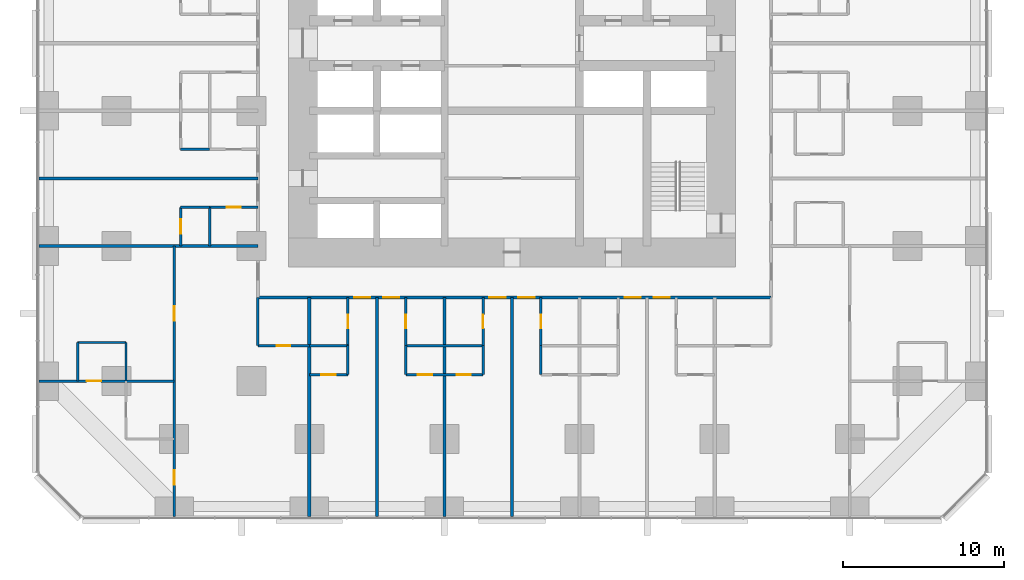
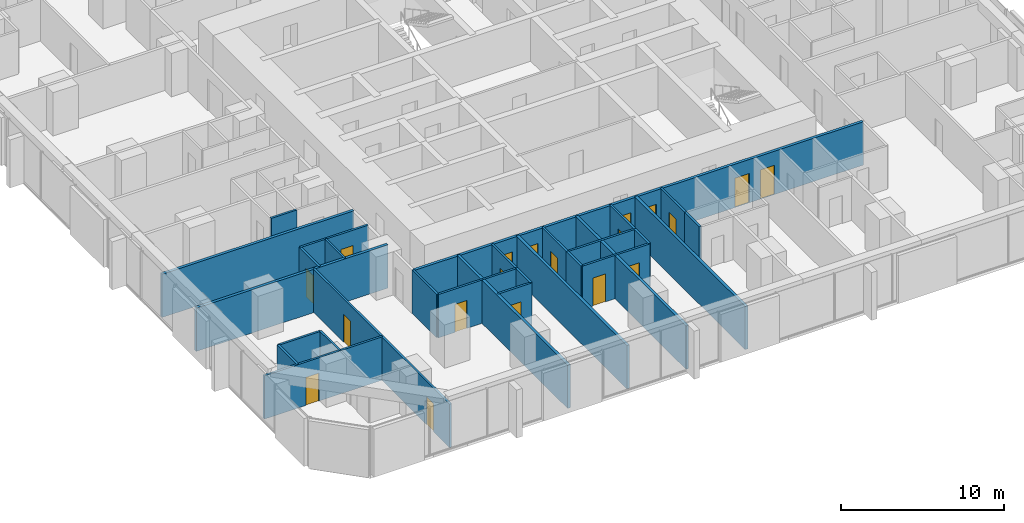
# One storey, part 11 of 18: 31 walls, 19 doors, 19 openings.
"""IFC4 building model written with IfcOpenShell, lengths in metres."""

from ifc_helpers import new_model, si_unit, direction, frame, frame_2d, origin, place, context, subcontext, project, spatial, rectangle, extrude, material, layer, layer_set, type_object, element, fill, save


model = new_model("IFC4")

# Units and contexts
model_context = context("Model", 3, precision=1e-05, world=origin(), true_north=direction((0.0, 1.0)))
body_context = subcontext(model_context, "Body", "Model", "MODEL_VIEW")
ifc_project = project(units=[si_unit("LENGTHUNIT", "METRE"), si_unit("AREAUNIT", "SQUARE_METRE"), si_unit("VOLUMEUNIT", "CUBIC_METRE"), si_unit("PLANEANGLEUNIT", "RADIAN"), si_unit("MASSUNIT", "GRAM", prefix="KILO")], contexts=[model_context])

# Site, building, storey
site_placement = place(None, origin())
site = spatial("IfcSite", under=ifc_project, at=site_placement, CompositionType="ELEMENT")
building_placement = place(site_placement, origin())
building = spatial("IfcBuilding", under=site, at=building_placement, Name="Dunama Terrace Hotel", CompositionType="ELEMENT")
storey_placement = place(building_placement, frame((0.0, 0.0, 30.60009765625)))
storey = spatial("IfcBuildingStorey", under=building, at=storey_placement, Name="L06", CompositionType="ELEMENT", Elevation=30.60009765625)

# Wall
ifc_material_1 = material(Name="Gypsum board partition", Category="masonry")
ifc_layer_1 = layer(ifc_material_1, 0.14990234375)
ifc_layer_set_1 = layer_set([ifc_layer_1], Name="Bathroom partition 150")
wall_type_1 = type_object("IfcWallType", Name="Bathroom partition 150", PredefinedType="PARTITIONING", material=ifc_layer_set_1)
wall_1_placement = place(storey_placement, frame((13.60009765625, 10.60009765625, 0.0), z_axis=(0.0, 0.0, 1.0), x_axis=(0.0, 1.0, 0.0)))
element("IfcWall", 1, at=wall_1_placement, inside=storey, type_object=wall_type_1, Name="Bathroom partition 150 L06", PredefinedType="PARTITIONING", context=body_context, shape_type="SweptSolid", body=[
    extrude(rectangle(XDim=3.0, YDim=0.14990234375, at=frame_2d((1.5, 0.0))), origin(), (0.0, 0.0, 1.0), 3.25),
])

# Wall, opening, door
wall_2_placement = place(storey_placement, frame((19.199951171875, 10.60009765625, 0.0), z_axis=(0.0, 0.0, 1.0), x_axis=(0.0, 1.0, 0.0)))
wall_2 = element("IfcWall", 2, at=wall_2_placement, inside=storey, type_object=wall_type_1, Name="Bathroom partition 150 L06", PredefinedType="PARTITIONING", context=body_context, shape_type="SweptSolid", body=[
    extrude(rectangle(XDim=3.0, YDim=0.14990234375, at=frame_2d((1.5, 0.0))), origin(), (0.0, 0.0, 1.0), 3.25),
])
opening_1_placement = place(wall_2_placement, frame((1.074951171875, 0.0, 0.0)))
opening_1 = element("IfcOpeningElement", 3, at=opening_1_placement, cuts=wall_2, Name="Opening L06-010", PredefinedType="OPENING", context=body_context, shape_type="SweptSolid", body=[
    extrude(rectangle(XDim=0.85009765625, YDim=2.10009765625, at=frame_2d((0.425048828125, 1.050048828125))), frame((0.0, 0.0849609375, 0.0), z_axis=(0.0, -1.0, 0.0), x_axis=(1.0, 0.0, 0.0)), (0.0, 0.0, 1.0), 0.169921875),
])
ifc_material_2 = material(Name="Timber door with steel frame", Category="steel")
door_type_1 = type_object("IfcDoorType", Name="Bathroom door 850", OperationType="SINGLE_SWING_LEFT", PredefinedType="DOOR", material=ifc_material_2)
door_1_placement = place(opening_1_placement, origin())
door_1 = element("IfcDoor", 4, at=door_1_placement, inside=storey, type_object=door_type_1, Name="Door to en-suite bathroom L06-010, type D2", OperationType="SINGLE_SWING_RIGHT", OverallHeight=2.10009765625, OverallWidth=0.85009765625, PredefinedType="DOOR", context=body_context, shape_type="SweptSolid", body=[
    extrude(rectangle(XDim=0.85009765625, YDim=2.10009765625, at=frame_2d((0.425048828125, 1.050048828125))), frame((0.0, 0.02490234375, 0.0), z_axis=(0.0, -1.0, 0.0), x_axis=(1.0, 0.0, 0.0)), (0.0, 0.0, 1.0), 0.050048828125),
])
fill(opening_1, door_1)

wall_3_placement = place(storey_placement, frame((22.800048828125, 10.60009765625, 0.0), z_axis=(0.0, 0.0, 1.0), x_axis=(0.0, 1.0, 0.0)))
wall_3 = element("IfcWall", 5, at=wall_3_placement, inside=storey, type_object=wall_type_1, Name="Bathroom partition 150 L06", PredefinedType="PARTITIONING", context=body_context, shape_type="SweptSolid", body=[
    extrude(rectangle(XDim=3.0, YDim=0.14990234375, at=frame_2d((1.5, 0.0))), origin(), (0.0, 0.0, 1.0), 3.25),
])
opening_2_placement = place(wall_3_placement, frame((1.074951171875, 0.0, 0.0)))
opening_2 = element("IfcOpeningElement", 6, at=opening_2_placement, cuts=wall_3, Name="Opening L06-013", PredefinedType="OPENING", context=body_context, shape_type="SweptSolid", body=[
    extrude(rectangle(XDim=0.85009765625, YDim=2.10009765625, at=frame_2d((0.425048828125, 1.050048828125))), frame((0.0, 0.0849609375, 0.0), z_axis=(0.0, -1.0, 0.0), x_axis=(1.0, 0.0, 0.0)), (0.0, 0.0, 1.0), 0.169921875),
])
door_2_placement = place(opening_2_placement, frame((0.85009765625, 0.0, 0.0), z_axis=(0.0, 0.0, 1.0), x_axis=(-1.0, 0.0, 0.0)))
door_2 = element("IfcDoor", 7, at=door_2_placement, inside=storey, type_object=door_type_1, Name="Door to en-suite bathroom L06-013, type D2", OperationType="SINGLE_SWING_LEFT", OverallHeight=2.10009765625, OverallWidth=0.85009765625, PredefinedType="DOOR", context=body_context, shape_type="SweptSolid", body=[
    extrude(rectangle(XDim=0.85009765625, YDim=2.10009765625, at=frame_2d((0.425048828125, 1.050048828125))), frame((0.0, 0.025146484375, 0.0), z_axis=(0.0, -1.0, 0.0), x_axis=(1.0, 0.0, 0.0)), (0.0, 0.0, 1.0), 0.050048828125),
])
fill(opening_2, door_2)

wall_4_placement = place(storey_placement, frame((27.60009765625, 10.60009765625, 0.0), z_axis=(0.0, 0.0, 1.0), x_axis=(0.0, 1.0, 0.0)))
wall_4 = element("IfcWall", 8, at=wall_4_placement, inside=storey, type_object=wall_type_1, Name="Bathroom partition 150 L06", PredefinedType="PARTITIONING", context=body_context, shape_type="SweptSolid", body=[
    extrude(rectangle(XDim=3.0, YDim=0.14990234375, at=frame_2d((1.5, 0.0))), origin(), (0.0, 0.0, 1.0), 3.25),
])
opening_3_placement = place(wall_4_placement, frame((1.074951171875, 0.0, 0.0)))
opening_3 = element("IfcOpeningElement", 9, at=opening_3_placement, cuts=wall_4, Name="Opening L06-016", PredefinedType="OPENING", context=body_context, shape_type="SweptSolid", body=[
    extrude(rectangle(XDim=0.85009765625, YDim=2.10009765625, at=frame_2d((0.425048828125, 1.050048828125))), frame((0.0, 0.0849609375, 0.0), z_axis=(0.0, -1.0, 0.0), x_axis=(1.0, 0.0, 0.0)), (0.0, 0.0, 1.0), 0.169921875),
])
door_3_placement = place(opening_3_placement, origin())
door_3 = element("IfcDoor", 10, at=door_3_placement, inside=storey, type_object=door_type_1, Name="Door to en-suite bathroom L06-016, type D2", OperationType="SINGLE_SWING_RIGHT", OverallHeight=2.10009765625, OverallWidth=0.85009765625, PredefinedType="DOOR", context=body_context, shape_type="SweptSolid", body=[
    extrude(rectangle(XDim=0.85009765625, YDim=2.10009765625, at=frame_2d((0.425048828125, 1.050048828125))), frame((0.0, 0.02490234375, 0.0), z_axis=(0.0, -1.0, 0.0), x_axis=(1.0, 0.0, 0.0)), (0.0, 0.0, 1.0), 0.050048828125),
])
fill(opening_3, door_3)

wall_5_placement = place(storey_placement, frame((31.199951171875, 10.60009765625, 0.0), z_axis=(0.0, 0.0, 1.0), x_axis=(0.0, 1.0, 0.0)))
wall_5 = element("IfcWall", 11, at=wall_5_placement, inside=storey, type_object=wall_type_1, Name="Bathroom partition 150 L06", PredefinedType="PARTITIONING", context=body_context, shape_type="SweptSolid", body=[
    extrude(rectangle(XDim=3.0, YDim=0.14990234375, at=frame_2d((1.5, 0.0))), origin(), (0.0, 0.0, 1.0), 3.25),
])
opening_4_placement = place(wall_5_placement, frame((1.074951171875, 0.0, 0.0)))
opening_4 = element("IfcOpeningElement", 12, at=opening_4_placement, cuts=wall_5, Name="Opening L06-019", PredefinedType="OPENING", context=body_context, shape_type="SweptSolid", body=[
    extrude(rectangle(XDim=0.85009765625, YDim=2.10009765625, at=frame_2d((0.425048828125, 1.050048828125))), frame((0.0, 0.0849609375, 0.0), z_axis=(0.0, -1.0, 0.0), x_axis=(1.0, 0.0, 0.0)), (0.0, 0.0, 1.0), 0.169921875),
])
door_4_placement = place(opening_4_placement, frame((0.85009765625, 0.0, 0.0), z_axis=(0.0, 0.0, 1.0), x_axis=(-1.0, 0.0, 0.0)))
door_4 = element("IfcDoor", 13, at=door_4_placement, inside=storey, type_object=door_type_1, Name="Door to en-suite bathroom L06-019, type D2", OperationType="SINGLE_SWING_LEFT", OverallHeight=2.10009765625, OverallWidth=0.85009765625, PredefinedType="DOOR", context=body_context, shape_type="SweptSolid", body=[
    extrude(rectangle(XDim=0.85009765625, YDim=2.10009765625, at=frame_2d((0.425048828125, 1.050048828125))), frame((0.0, 0.025146484375, 0.0), z_axis=(0.0, -1.0, 0.0), x_axis=(1.0, 0.0, 0.0)), (0.0, 0.0, 1.0), 0.050048828125),
])
fill(opening_4, door_4)

wall_6_placement = place(storey_placement, frame((13.60009765625, 10.60009765625, 0.0), z_axis=(0.0, 0.0, 1.0), x_axis=(1.0, 0.0, 0.0)))
wall_6 = element("IfcWall", 14, at=wall_6_placement, inside=storey, type_object=wall_type_1, Name="Bathroom partition 150 L06", PredefinedType="PARTITIONING", context=body_context, shape_type="SweptSolid", body=[
    extrude(rectangle(XDim=3.199951171875, YDim=0.14990234375, at=frame_2d((1.60009765625, 0.0))), origin(), (0.0, 0.0, 1.0), 3.25),
])
opening_5_placement = place(wall_6_placement, frame((1.175048828125, 0.0, 0.0)))
opening_5 = element("IfcOpeningElement", 15, at=opening_5_placement, cuts=wall_6, Name="Opening L06-075", PredefinedType="OPENING", context=body_context, shape_type="SweptSolid", body=[
    extrude(rectangle(XDim=0.85009765625, YDim=2.10009765625, at=frame_2d((0.425048828125, 1.050048828125))), frame((0.0, 0.0849609375, 0.0), z_axis=(0.0, -1.0, 0.0), x_axis=(1.0, 0.0, 0.0)), (0.0, 0.0, 1.0), 0.169921875),
])
door_5_placement = place(opening_5_placement, origin())
door_5 = element("IfcDoor", 16, at=door_5_placement, inside=storey, type_object=door_type_1, Name="Door to powder room L06-075, type D2", OperationType="SINGLE_SWING_RIGHT", OverallHeight=2.10009765625, OverallWidth=0.85009765625, PredefinedType="DOOR", context=body_context, shape_type="SweptSolid", body=[
    extrude(rectangle(XDim=0.85009765625, YDim=2.10009765625, at=frame_2d((0.425048828125, 1.050048828125))), frame((0.0, 0.02490234375, 0.0), z_axis=(0.0, -1.0, 0.0), x_axis=(1.0, 0.0, 0.0)), (0.0, 0.0, 1.0), 0.050048828125),
])
fill(opening_5, door_5)

wall_7_placement = place(storey_placement, frame((10.60009765625, 19.199951171875, 0.0), z_axis=(0.0, 0.0, 1.0), x_axis=(1.0, 0.0, 0.0)))
wall_7 = element("IfcWall", 17, at=wall_7_placement, inside=storey, type_object=wall_type_1, Name="Bathroom partition 150 L06", PredefinedType="PARTITIONING", context=body_context, shape_type="SweptSolid", body=[
    extrude(rectangle(XDim=3.0, YDim=0.14990234375, at=frame_2d((1.5, 0.0))), origin(), (0.0, 0.0, 1.0), 3.25),
])
opening_6_placement = place(wall_7_placement, frame((1.074951171875, 0.0, 0.0)))
opening_6 = element("IfcOpeningElement", 18, at=opening_6_placement, cuts=wall_7, Name="Opening L06-062", PredefinedType="OPENING", context=body_context, shape_type="SweptSolid", body=[
    extrude(rectangle(XDim=0.85009765625, YDim=2.10009765625, at=frame_2d((0.425048828125, 1.050048828125))), frame((0.0, 0.0849609375, 0.0), z_axis=(0.0, -1.0, 0.0), x_axis=(1.0, 0.0, 0.0)), (0.0, 0.0, 1.0), 0.169921875),
])
door_6_placement = place(opening_6_placement, frame((0.85009765625, 0.0, 0.0), z_axis=(0.0, 0.0, 1.0), x_axis=(-1.0, 0.0, 0.0)))
door_6 = element("IfcDoor", 19, at=door_6_placement, inside=storey, type_object=door_type_1, Name="Door to en-suite bathroom L06-062, type D2", OperationType="SINGLE_SWING_LEFT", OverallHeight=2.10009765625, OverallWidth=0.85009765625, PredefinedType="DOOR", context=body_context, shape_type="SweptSolid", body=[
    extrude(rectangle(XDim=0.85009765625, YDim=2.10009765625, at=frame_2d((0.425048828125, 1.050048828125))), frame((0.0, 0.025146484375, 0.0), z_axis=(0.0, -1.0, 0.0), x_axis=(1.0, 0.0, 0.0)), (0.0, 0.0, 1.0), 0.050048828125),
])
fill(opening_6, door_6)

# Wall, openings, doors
ifc_material_3 = material(Name="Concrete blockwork", Category="masonry")
ifc_layer_2 = layer(ifc_material_3, 0.199951171875)
ifc_layer_set_2 = layer_set([ifc_layer_2], Name="Corridor partition 200")
wall_type_2 = type_object("IfcWallType", Name="Corridor partition 200", PredefinedType="PARTITIONING", material=ifc_layer_set_2)
wall_8_placement = place(storey_placement, frame((45.5, 13.60009765625, 0.0), z_axis=(0.0, 0.0, 1.0), x_axis=(-1.0, 0.0, 0.0)))
wall_8 = element("IfcWall", 20, at=wall_8_placement, inside=storey, type_object=wall_type_2, Name="Corridor partition 200 L06", PredefinedType="PARTITIONING", context=body_context, shape_type="SweptSolid", body=[
    extrude(rectangle(XDim=31.89990234375, YDim=0.199951171875, at=frame_2d((15.949951171875, 0.0))), origin(), (0.0, 0.0, 1.0), 3.25),
])
opening_7_placement = place(wall_8_placement, frame((24.89990234375, 0.0, 0.0)))
opening_7 = element("IfcOpeningElement", 21, at=opening_7_placement, cuts=wall_8, Name="Opening L06-009", PredefinedType="OPENING", context=body_context, shape_type="SweptSolid", body=[
    extrude(rectangle(XDim=1.0, YDim=2.199951171875, at=frame_2d((0.5, 1.10009765625))), frame((0.0, 0.10986328125, 0.0), z_axis=(0.0, -1.0, 0.0), x_axis=(1.0, 0.0, 0.0)), (0.0, 0.0, 1.0), 0.219970703125),
])
opening_8_placement = place(wall_8_placement, frame((23.10009765625, 0.0, 0.0)))
opening_8 = element("IfcOpeningElement", 22, at=opening_8_placement, cuts=wall_8, Name="Opening L06-012", PredefinedType="OPENING", context=body_context, shape_type="SweptSolid", body=[
    extrude(rectangle(XDim=1.0, YDim=2.199951171875, at=frame_2d((0.5, 1.10009765625))), frame((0.0, 0.10986328125, 0.0), z_axis=(0.0, -1.0, 0.0), x_axis=(1.0, 0.0, 0.0)), (0.0, 0.0, 1.0), 0.219970703125),
])
opening_9_placement = place(wall_8_placement, frame((16.5, 0.0, 0.0)))
opening_9 = element("IfcOpeningElement", 23, at=opening_9_placement, cuts=wall_8, Name="Opening L06-015", PredefinedType="OPENING", context=body_context, shape_type="SweptSolid", body=[
    extrude(rectangle(XDim=1.0, YDim=2.199951171875, at=frame_2d((0.5, 1.10009765625))), frame((0.0, 0.10986328125, 0.0), z_axis=(0.0, -1.0, 0.0), x_axis=(1.0, 0.0, 0.0)), (0.0, 0.0, 1.0), 0.219970703125),
])
opening_10_placement = place(wall_8_placement, frame((14.699951171875, 0.0, 0.0)))
opening_10 = element("IfcOpeningElement", 24, at=opening_10_placement, cuts=wall_8, Name="Opening L06-018", PredefinedType="OPENING", context=body_context, shape_type="SweptSolid", body=[
    extrude(rectangle(XDim=1.0, YDim=2.199951171875, at=frame_2d((0.5, 1.10009765625))), frame((0.0, 0.10986328125, 0.0), z_axis=(0.0, -1.0, 0.0), x_axis=(1.0, 0.0, 0.0)), (0.0, 0.0, 1.0), 0.219970703125),
])
opening_11_placement = place(wall_8_placement, frame((8.10009765625, 0.0, 0.0)))
opening_11 = element("IfcOpeningElement", 25, at=opening_11_placement, cuts=wall_8, Name="Opening L06-021", PredefinedType="OPENING", context=body_context, shape_type="SweptSolid", body=[
    extrude(rectangle(XDim=1.0, YDim=2.199951171875, at=frame_2d((0.5, 1.10009765625))), frame((0.0, 0.10986328125, 0.0), z_axis=(0.0, -1.0, 0.0), x_axis=(1.0, 0.0, 0.0)), (0.0, 0.0, 1.0), 0.219970703125),
])
opening_12_placement = place(wall_8_placement, frame((6.300048828125, 0.0, 0.0)))
opening_12 = element("IfcOpeningElement", 26, at=opening_12_placement, cuts=wall_8, Name="Opening L06-024", PredefinedType="OPENING", context=body_context, shape_type="SweptSolid", body=[
    extrude(rectangle(XDim=1.0, YDim=2.199951171875, at=frame_2d((0.5, 1.10009765625))), frame((0.0, 0.10986328125, 0.0), z_axis=(0.0, -1.0, 0.0), x_axis=(1.0, 0.0, 0.0)), (0.0, 0.0, 1.0), 0.219970703125),
])
ifc_material_4 = material(Name="Timber door with steel frame", Category="steel")
door_type_2 = type_object("IfcDoorType", Name="Guest room door 1000", OperationType="SINGLE_SWING_LEFT", PredefinedType="DOOR", material=ifc_material_4)
door_7_placement = place(opening_7_placement, origin())
door_7 = element("IfcDoor", 27, at=door_7_placement, inside=storey, type_object=door_type_2, Name="Door to deluxe room L06-009, type D1", OperationType="SINGLE_SWING_LEFT", OverallHeight=2.199951171875, OverallWidth=1.0, PredefinedType="DOOR", context=body_context, shape_type="SweptSolid", body=[
    extrude(rectangle(XDim=1.0, YDim=2.199951171875, at=frame_2d((0.5, 1.10009765625))), frame((0.0, 0.02490234375, 0.0), z_axis=(0.0, -1.0, 0.0), x_axis=(1.0, 0.0, 0.0)), (0.0, 0.0, 1.0), 0.050048828125),
])
fill(opening_7, door_7)
door_8_placement = place(opening_8_placement, origin())
door_8 = element("IfcDoor", 28, at=door_8_placement, inside=storey, type_object=door_type_2, Name="Door to deluxe room L06-012, type D1", OperationType="SINGLE_SWING_RIGHT", OverallHeight=2.199951171875, OverallWidth=1.0, PredefinedType="DOOR", context=body_context, shape_type="SweptSolid", body=[
    extrude(rectangle(XDim=1.0, YDim=2.199951171875, at=frame_2d((0.5, 1.10009765625))), frame((0.0, 0.02490234375, 0.0), z_axis=(0.0, -1.0, 0.0), x_axis=(1.0, 0.0, 0.0)), (0.0, 0.0, 1.0), 0.050048828125),
])
fill(opening_8, door_8)
door_9_placement = place(opening_9_placement, origin())
door_9 = element("IfcDoor", 29, at=door_9_placement, inside=storey, type_object=door_type_2, Name="Door to deluxe room L06-015, type D1", OperationType="SINGLE_SWING_LEFT", OverallHeight=2.199951171875, OverallWidth=1.0, PredefinedType="DOOR", context=body_context, shape_type="SweptSolid", body=[
    extrude(rectangle(XDim=1.0, YDim=2.199951171875, at=frame_2d((0.5, 1.10009765625))), frame((0.0, 0.02490234375, 0.0), z_axis=(0.0, -1.0, 0.0), x_axis=(1.0, 0.0, 0.0)), (0.0, 0.0, 1.0), 0.050048828125),
])
fill(opening_9, door_9)
door_10_placement = place(opening_10_placement, origin())
door_10 = element("IfcDoor", 30, at=door_10_placement, inside=storey, type_object=door_type_2, Name="Door to deluxe room L06-018, type D1", OperationType="SINGLE_SWING_RIGHT", OverallHeight=2.199951171875, OverallWidth=1.0, PredefinedType="DOOR", context=body_context, shape_type="SweptSolid", body=[
    extrude(rectangle(XDim=1.0, YDim=2.199951171875, at=frame_2d((0.5, 1.10009765625))), frame((0.0, 0.02490234375, 0.0), z_axis=(0.0, -1.0, 0.0), x_axis=(1.0, 0.0, 0.0)), (0.0, 0.0, 1.0), 0.050048828125),
])
fill(opening_10, door_10)
door_11_placement = place(opening_11_placement, origin())
door_11 = element("IfcDoor", 31, at=door_11_placement, inside=storey, type_object=door_type_2, Name="Door to deluxe room L06-021, type D1", OperationType="SINGLE_SWING_LEFT", OverallHeight=2.199951171875, OverallWidth=1.0, PredefinedType="DOOR", context=body_context, shape_type="SweptSolid", body=[
    extrude(rectangle(XDim=1.0, YDim=2.199951171875, at=frame_2d((0.5, 1.10009765625))), frame((0.0, 0.02490234375, 0.0), z_axis=(0.0, -1.0, 0.0), x_axis=(1.0, 0.0, 0.0)), (0.0, 0.0, 1.0), 0.050048828125),
])
fill(opening_11, door_11)
door_12_placement = place(opening_12_placement, origin())
door_12 = element("IfcDoor", 32, at=door_12_placement, inside=storey, type_object=door_type_2, Name="Door to deluxe room L06-024, type D1", OperationType="SINGLE_SWING_RIGHT", OverallHeight=2.199951171875, OverallWidth=1.0, PredefinedType="DOOR", context=body_context, shape_type="SweptSolid", body=[
    extrude(rectangle(XDim=1.0, YDim=2.199951171875, at=frame_2d((0.5, 1.10009765625))), frame((0.0, 0.02490234375, 0.0), z_axis=(0.0, -1.0, 0.0), x_axis=(1.0, 0.0, 0.0)), (0.0, 0.0, 1.0), 0.050048828125),
])
fill(opening_12, door_12)

# Walls
ifc_material_5 = material(Name="Concrete blockwork", Category="masonry")
ifc_layer_3 = layer(ifc_material_5, 0.199951171875)
ifc_layer_set_3 = layer_set([ifc_layer_3], Name="Party wall 200")
wall_type_3 = type_object("IfcWallType", Name="Party wall 200", PredefinedType="PARTITIONING", material=ifc_layer_set_3)
for number, where, z_axis, x_axis, name in (
    (33, (16.800048828125, -0.008056640625, 0.0), (0.0, 0.0, 1.0), (0.0, 1.0, 0.0), "Party wall 200 L06"),
    (34, (21.0, -0.008056640625, 0.0), (0.0, 0.0, 1.0), (0.0, 1.0, 0.0), "Party wall 200 L06"),
    (35, (25.199951171875, -0.008056640625, 0.0), (0.0, 0.0, 1.0), (0.0, 1.0, 0.0), "Party wall 200 L06"),
    (36, (29.39990234375, -0.008056640625, 0.0), (0.0, 0.0, 1.0), (0.0, 1.0, 0.0), "Party wall 200 L06"),
    (37, (-0.008056640625, 16.800048828125, 0.0), (0.0, 0.0, 1.0), (1.0, 0.0, 0.0), "Party wall 200 L06"),
    (38, (-0.008056640625, 21.0, 0.0), (0.0, 0.0, 1.0), (1.0, 0.0, 0.0), "Party wall 200 L06"),
):
    element("IfcWall", number, at=place(storey_placement, frame(where, z_axis=z_axis, x_axis=x_axis)), inside=storey, type_object=wall_type_3, Name=name, PredefinedType="PARTITIONING", context=body_context, shape_type="SweptSolid", body=[
        extrude(rectangle(XDim=13.608154296875, YDim=0.199951171875, at=frame_2d((6.80419921875, 0.0))), origin(), (0.0, 0.0, 1.0), 3.25),
    ])
ifc_material_6 = material(Name="Gypsum board partition", Category="masonry")
ifc_layer_4 = layer(ifc_material_6, 0.14990234375)
ifc_layer_set_4 = layer_set([ifc_layer_4], Name="Room partition 150")
wall_type_4 = type_object("IfcWallType", Name="Room partition 150", PredefinedType="PARTITIONING", material=ifc_layer_set_4)
for number, where, z_axis, x_axis, name in (
    (39, (2.39990234375, 8.39990234375, 0.0), (0.0, 0.0, 1.0), (0.0, 1.0, 0.0), "Room partition 150 L06"),
    (40, (5.39990234375, 8.39990234375, 0.0), (0.0, 0.0, 1.0), (0.0, 1.0, 0.0), "Room partition 150 L06"),
):
    element("IfcWall", number, at=place(storey_placement, frame(where, z_axis=z_axis, x_axis=x_axis)), inside=storey, type_object=wall_type_4, Name=name, PredefinedType="PARTITIONING", context=body_context, shape_type="SweptSolid", body=[
        extrude(rectangle(XDim=2.400146484375, YDim=0.14990234375, at=frame_2d((1.2001953125, 0.0))), origin(), (0.0, 0.0, 1.0), 3.25),
    ])

# Wall, openings, doors
wall_9_placement = place(storey_placement, frame((8.39990234375, -0.008056640625, 0.0), z_axis=(0.0, 0.0, 1.0), x_axis=(0.0, 1.0, 0.0)))
wall_9 = element("IfcWall", 41, at=wall_9_placement, inside=storey, type_object=wall_type_4, Name="Room partition 150 L06", PredefinedType="PARTITIONING", context=body_context, shape_type="SweptSolid", body=[
    extrude(rectangle(XDim=16.80810546875, YDim=0.14990234375, at=frame_2d((8.404052734375, 0.0))), origin(), (0.0, 0.0, 1.0), 3.25),
])
opening_13_placement = place(wall_9_placement, frame((1.9580078125, 0.0, 0.0)))
opening_13 = element("IfcOpeningElement", 42, at=opening_13_placement, cuts=wall_9, Name="Opening L06-076", PredefinedType="OPENING", context=body_context, shape_type="SweptSolid", body=[
    extrude(rectangle(XDim=0.89990234375, YDim=2.10009765625, at=frame_2d((0.449951171875, 1.050048828125))), frame((0.0, 0.0849609375, 0.0), z_axis=(0.0, -1.0, 0.0), x_axis=(1.0, 0.0, 0.0)), (0.0, 0.0, 1.0), 0.169921875),
])
opening_14_placement = place(wall_9_placement, frame((12.157958984375, 0.0, 0.0)))
opening_14 = element("IfcOpeningElement", 43, at=opening_14_placement, cuts=wall_9, Name="Opening L06-079", PredefinedType="OPENING", context=body_context, shape_type="SweptSolid", body=[
    extrude(rectangle(XDim=0.89990234375, YDim=2.10009765625, at=frame_2d((0.449951171875, 1.050048828125))), frame((0.0, 0.0849609375, 0.0), z_axis=(0.0, -1.0, 0.0), x_axis=(1.0, 0.0, 0.0)), (0.0, 0.0, 1.0), 0.169921875),
])
ifc_material_7 = material(Name="Timber door with steel frame", Category="steel")
door_type_3 = type_object("IfcDoorType", Name="Suite internal door 900", OperationType="SINGLE_SWING_LEFT", PredefinedType="DOOR", material=ifc_material_7)
door_13_placement = place(opening_13_placement, origin())
door_13 = element("IfcDoor", 44, at=door_13_placement, inside=storey, type_object=door_type_3, Name="Door to corner suite bedroom L06-076, type D16", OperationType="SINGLE_SWING_LEFT", OverallHeight=2.10009765625, OverallWidth=0.89990234375, PredefinedType="DOOR", context=body_context, shape_type="SweptSolid", body=[
    extrude(rectangle(XDim=0.89990234375, YDim=2.10009765625, at=frame_2d((0.449951171875, 1.050048828125))), frame((0.0, 0.02490234375, 0.0), z_axis=(0.0, -1.0, 0.0), x_axis=(1.0, 0.0, 0.0)), (0.0, 0.0, 1.0), 0.050048828125),
])
fill(opening_13, door_13)
door_14_placement = place(opening_14_placement, origin())
door_14 = element("IfcDoor", 45, at=door_14_placement, inside=storey, type_object=door_type_3, Name="Door to corner suite study L06-079, type D16", OperationType="SINGLE_SWING_LEFT", OverallHeight=2.10009765625, OverallWidth=0.89990234375, PredefinedType="DOOR", context=body_context, shape_type="SweptSolid", body=[
    extrude(rectangle(XDim=0.89990234375, YDim=2.10009765625, at=frame_2d((0.449951171875, 1.050048828125))), frame((0.0, 0.02490234375, 0.0), z_axis=(0.0, -1.0, 0.0), x_axis=(1.0, 0.0, 0.0)), (0.0, 0.0, 1.0), 0.050048828125),
])
fill(opening_14, door_14)

# Wall, opening, door
wall_10_placement = place(storey_placement, frame((8.800048828125, 16.800048828125, 0.0), z_axis=(0.0, 0.0, 1.0), x_axis=(0.0, 1.0, 0.0)))
wall_10 = element("IfcWall", 46, at=wall_10_placement, inside=storey, type_object=wall_type_4, Name="Room partition 150 L06", PredefinedType="PARTITIONING", context=body_context, shape_type="SweptSolid", body=[
    extrude(rectangle(XDim=2.39990234375, YDim=0.14990234375, at=frame_2d((1.199951171875, 0.0))), origin(), (0.0, 0.0, 1.0), 3.25),
])
opening_15_placement = place(wall_10_placement, frame((0.75, 0.0, 0.0)))
opening_15 = element("IfcOpeningElement", 47, at=opening_15_placement, cuts=wall_10, Name="Opening L06-063", PredefinedType="OPENING", context=body_context, shape_type="SweptSolid", body=[
    extrude(rectangle(XDim=0.89990234375, YDim=2.10009765625, at=frame_2d((0.449951171875, 1.050048828125))), frame((0.0, 0.0849609375, 0.0), z_axis=(0.0, -1.0, 0.0), x_axis=(1.0, 0.0, 0.0)), (0.0, 0.0, 1.0), 0.169921875),
])
door_15_placement = place(opening_15_placement, frame((0.89990234375, 0.0, 0.0), z_axis=(0.0, 0.0, 1.0), x_axis=(-1.0, 0.0, 0.0)))
door_15 = element("IfcDoor", 48, at=door_15_placement, inside=storey, type_object=door_type_3, Name="Door to walk-in wardrobe L06-063, type D16", OperationType="SINGLE_SWING_RIGHT", OverallHeight=2.10009765625, OverallWidth=0.89990234375, PredefinedType="DOOR", context=body_context, shape_type="SweptSolid", body=[
    extrude(rectangle(XDim=0.89990234375, YDim=2.10009765625, at=frame_2d((0.449951171875, 1.050048828125))), frame((0.0, 0.025146484375, 0.0), z_axis=(0.0, -1.0, 0.0), x_axis=(1.0, 0.0, 0.0)), (0.0, 0.0, 1.0), 0.050048828125),
])
fill(opening_15, door_15)

# Walls
wall_11_placement = place(storey_placement, frame((10.60009765625, 16.800048828125, 0.0), z_axis=(0.0, 0.0, 1.0), x_axis=(0.0, 1.0, 0.0)))
element("IfcWall", 49, at=wall_11_placement, inside=storey, type_object=wall_type_4, Name="Room partition 150 L06", PredefinedType="PARTITIONING", context=body_context, shape_type="SweptSolid", body=[
    extrude(rectangle(XDim=2.39990234375, YDim=0.14990234375, at=frame_2d((1.199951171875, 0.0))), origin(), (0.0, 0.0, 1.0), 3.25),
])
for number, where, z_axis, x_axis, name in (
    (50, (19.199951171875, 8.800048828125, 0.0), (0.0, 0.0, 1.0), (0.0, 1.0, 0.0), "Room partition 150 L06"),
    (51, (22.800048828125, 8.800048828125, 0.0), (0.0, 0.0, 1.0), (0.0, 1.0, 0.0), "Room partition 150 L06"),
    (52, (27.60009765625, 8.800048828125, 0.0), (0.0, 0.0, 1.0), (0.0, 1.0, 0.0), "Room partition 150 L06"),
    (53, (31.199951171875, 8.800048828125, 0.0), (0.0, 0.0, 1.0), (0.0, 1.0, 0.0), "Room partition 150 L06"),
):
    element("IfcWall", number, at=place(storey_placement, frame(where, z_axis=z_axis, x_axis=x_axis)), inside=storey, type_object=wall_type_4, Name=name, PredefinedType="PARTITIONING", context=body_context, shape_type="SweptSolid", body=[
        extrude(rectangle(XDim=1.800048828125, YDim=0.14990234375, at=frame_2d((0.89990234375, 0.0))), origin(), (0.0, 0.0, 1.0), 3.25),
    ])

# Wall, opening, door
wall_12_placement = place(storey_placement, frame((-0.008056640625, 8.39990234375, 0.0), z_axis=(0.0, 0.0, 1.0), x_axis=(1.0, 0.0, 0.0)))
wall_12 = element("IfcWall", 54, at=wall_12_placement, inside=storey, type_object=wall_type_4, Name="Room partition 150 L06", PredefinedType="PARTITIONING", context=body_context, shape_type="SweptSolid", body=[
    extrude(rectangle(XDim=8.407958984375, YDim=0.14990234375, at=frame_2d((4.2041015625, 0.0))), origin(), (0.0, 0.0, 1.0), 3.25),
])
opening_16_placement = place(wall_12_placement, frame((2.9580078125, 0.0, 0.0)))
opening_16 = element("IfcOpeningElement", 55, at=opening_16_placement, cuts=wall_12, Name="Opening L06-078", PredefinedType="OPENING", context=body_context, shape_type="SweptSolid", body=[
    extrude(rectangle(XDim=0.89990234375, YDim=2.10009765625, at=frame_2d((0.449951171875, 1.050048828125))), frame((0.0, 0.0849609375, 0.0), z_axis=(0.0, -1.0, 0.0), x_axis=(1.0, 0.0, 0.0)), (0.0, 0.0, 1.0), 0.169921875),
])
door_16_placement = place(opening_16_placement, origin())
door_16 = element("IfcDoor", 56, at=door_16_placement, inside=storey, type_object=door_type_3, Name="Door to dressing room L06-078, type D16", OperationType="SINGLE_SWING_RIGHT", OverallHeight=2.10009765625, OverallWidth=0.89990234375, PredefinedType="DOOR", context=body_context, shape_type="SweptSolid", body=[
    extrude(rectangle(XDim=0.89990234375, YDim=2.10009765625, at=frame_2d((0.449951171875, 1.050048828125))), frame((0.0, 0.02490234375, 0.0), z_axis=(0.0, -1.0, 0.0), x_axis=(1.0, 0.0, 0.0)), (0.0, 0.0, 1.0), 0.050048828125),
])
fill(opening_16, door_16)

wall_13_placement = place(storey_placement, frame((16.800048828125, 8.800048828125, 0.0), z_axis=(0.0, 0.0, 1.0), x_axis=(1.0, 0.0, 0.0)))
wall_13 = element("IfcWall", 57, at=wall_13_placement, inside=storey, type_object=wall_type_4, Name="Room partition 150 L06", PredefinedType="PARTITIONING", context=body_context, shape_type="SweptSolid", body=[
    extrude(rectangle(XDim=2.39990234375, YDim=0.14990234375, at=frame_2d((1.199951171875, 0.0))), origin(), (0.0, 0.0, 1.0), 3.25),
])
opening_17_placement = place(wall_13_placement, frame((0.75, 0.0, 0.0)))
opening_17 = element("IfcOpeningElement", 58, at=opening_17_placement, cuts=wall_13, Name="Opening L06-011", PredefinedType="OPENING", context=body_context, shape_type="SweptSolid", body=[
    extrude(rectangle(XDim=0.89990234375, YDim=2.10009765625, at=frame_2d((0.449951171875, 1.050048828125))), frame((0.0, 0.0849609375, 0.0), z_axis=(0.0, -1.0, 0.0), x_axis=(1.0, 0.0, 0.0)), (0.0, 0.0, 1.0), 0.169921875),
])
door_17_placement = place(opening_17_placement, origin())
door_17 = element("IfcDoor", 59, at=door_17_placement, inside=storey, type_object=door_type_3, Name="Door to walk-in wardrobe L06-011, type D16", OperationType="SINGLE_SWING_LEFT", OverallHeight=2.10009765625, OverallWidth=0.89990234375, PredefinedType="DOOR", context=body_context, shape_type="SweptSolid", body=[
    extrude(rectangle(XDim=0.89990234375, YDim=2.10009765625, at=frame_2d((0.449951171875, 1.050048828125))), frame((0.0, 0.02490234375, 0.0), z_axis=(0.0, -1.0, 0.0), x_axis=(1.0, 0.0, 0.0)), (0.0, 0.0, 1.0), 0.050048828125),
])
fill(opening_17, door_17)

# Wall, openings, doors
wall_14_placement = place(storey_placement, frame((22.800048828125, 8.800048828125, 0.0), z_axis=(0.0, 0.0, 1.0), x_axis=(1.0, 0.0, 0.0)))
wall_14 = element("IfcWall", 60, at=wall_14_placement, inside=storey, type_object=wall_type_4, Name="Room partition 150 L06", PredefinedType="PARTITIONING", context=body_context, shape_type="SweptSolid", body=[
    extrude(rectangle(XDim=4.800048828125, YDim=0.14990234375, at=frame_2d((2.39990234375, 0.0))), origin(), (0.0, 0.0, 1.0), 3.25),
])
opening_18_placement = place(wall_14_placement, frame((0.75, 0.0, 0.0)))
opening_18 = element("IfcOpeningElement", 61, at=opening_18_placement, cuts=wall_14, Name="Opening L06-014", PredefinedType="OPENING", context=body_context, shape_type="SweptSolid", body=[
    extrude(rectangle(XDim=0.89990234375, YDim=2.10009765625, at=frame_2d((0.449951171875, 1.050048828125))), frame((0.0, 0.0849609375, 0.0), z_axis=(0.0, -1.0, 0.0), x_axis=(1.0, 0.0, 0.0)), (0.0, 0.0, 1.0), 0.169921875),
])
opening_19_placement = place(wall_14_placement, frame((3.14990234375, 0.0, 0.0)))
opening_19 = element("IfcOpeningElement", 62, at=opening_19_placement, cuts=wall_14, Name="Opening L06-017", PredefinedType="OPENING", context=body_context, shape_type="SweptSolid", body=[
    extrude(rectangle(XDim=0.89990234375, YDim=2.10009765625, at=frame_2d((0.449951171875, 1.050048828125))), frame((0.0, 0.0849609375, 0.0), z_axis=(0.0, -1.0, 0.0), x_axis=(1.0, 0.0, 0.0)), (0.0, 0.0, 1.0), 0.169921875),
])
door_18_placement = place(opening_18_placement, origin())
door_18 = element("IfcDoor", 63, at=door_18_placement, inside=storey, type_object=door_type_3, Name="Door to walk-in wardrobe L06-014, type D16", OperationType="SINGLE_SWING_RIGHT", OverallHeight=2.10009765625, OverallWidth=0.89990234375, PredefinedType="DOOR", context=body_context, shape_type="SweptSolid", body=[
    extrude(rectangle(XDim=0.89990234375, YDim=2.10009765625, at=frame_2d((0.449951171875, 1.050048828125))), frame((0.0, 0.02490234375, 0.0), z_axis=(0.0, -1.0, 0.0), x_axis=(1.0, 0.0, 0.0)), (0.0, 0.0, 1.0), 0.050048828125),
])
fill(opening_18, door_18)
door_19_placement = place(opening_19_placement, origin())
door_19 = element("IfcDoor", 64, at=door_19_placement, inside=storey, type_object=door_type_3, Name="Door to walk-in wardrobe L06-017, type D16", OperationType="SINGLE_SWING_LEFT", OverallHeight=2.10009765625, OverallWidth=0.89990234375, PredefinedType="DOOR", context=body_context, shape_type="SweptSolid", body=[
    extrude(rectangle(XDim=0.89990234375, YDim=2.10009765625, at=frame_2d((0.449951171875, 1.050048828125))), frame((0.0, 0.02490234375, 0.0), z_axis=(0.0, -1.0, 0.0), x_axis=(1.0, 0.0, 0.0)), (0.0, 0.0, 1.0), 0.050048828125),
])
fill(opening_19, door_19)

# Walls
wall_15_placement = place(storey_placement, frame((16.800048828125, 10.60009765625, 0.0), z_axis=(0.0, 0.0, 1.0), x_axis=(1.0, 0.0, 0.0)))
element("IfcWall", 65, at=wall_15_placement, inside=storey, type_object=wall_type_4, Name="Room partition 150 L06", PredefinedType="PARTITIONING", context=body_context, shape_type="SweptSolid", body=[
    extrude(rectangle(XDim=2.39990234375, YDim=0.14990234375, at=frame_2d((1.199951171875, 0.0))), origin(), (0.0, 0.0, 1.0), 3.25),
])
wall_16_placement = place(storey_placement, frame((22.800048828125, 10.60009765625, 0.0), z_axis=(0.0, 0.0, 1.0), x_axis=(1.0, 0.0, 0.0)))
element("IfcWall", 66, at=wall_16_placement, inside=storey, type_object=wall_type_4, Name="Room partition 150 L06", PredefinedType="PARTITIONING", context=body_context, shape_type="SweptSolid", body=[
    extrude(rectangle(XDim=4.800048828125, YDim=0.14990234375, at=frame_2d((2.39990234375, 0.0))), origin(), (0.0, 0.0, 1.0), 3.25),
])
wall_17_placement = place(storey_placement, frame((2.39990234375, 10.800048828125, 0.0), z_axis=(0.0, 0.0, 1.0), x_axis=(1.0, 0.0, 0.0)))
element("IfcWall", 67, at=wall_17_placement, inside=storey, type_object=wall_type_4, Name="Room partition 150 L06", PredefinedType="PARTITIONING", context=body_context, shape_type="SweptSolid", body=[
    extrude(rectangle(XDim=3.0, YDim=0.14990234375, at=frame_2d((1.5, 0.0))), origin(), (0.0, 0.0, 1.0), 3.25),
])
for number, where, z_axis, x_axis, name in (
    (68, (8.800048828125, 19.199951171875, 0.0), (0.0, 0.0, 1.0), (1.0, 0.0, 0.0), "Room partition 150 L06"),
    (69, (8.800048828125, 22.800048828125, 0.0), (0.0, 0.0, 1.0), (1.0, 0.0, 0.0), "Room partition 150 L06"),
):
    element("IfcWall", number, at=place(storey_placement, frame(where, z_axis=z_axis, x_axis=x_axis)), inside=storey, type_object=wall_type_4, Name=name, PredefinedType="PARTITIONING", context=body_context, shape_type="SweptSolid", body=[
        extrude(rectangle(XDim=1.800048828125, YDim=0.14990234375, at=frame_2d((0.89990234375, 0.0))), origin(), (0.0, 0.0, 1.0), 3.25),
    ])

save(model, "model.ifc")
